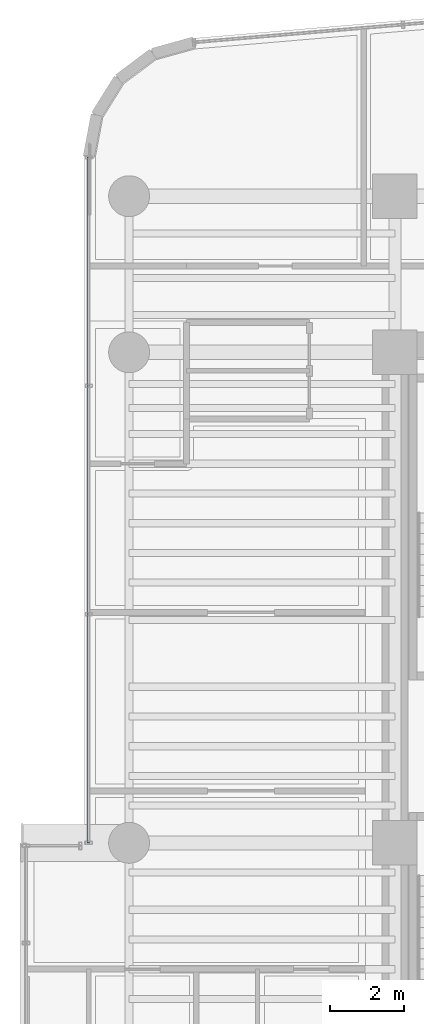
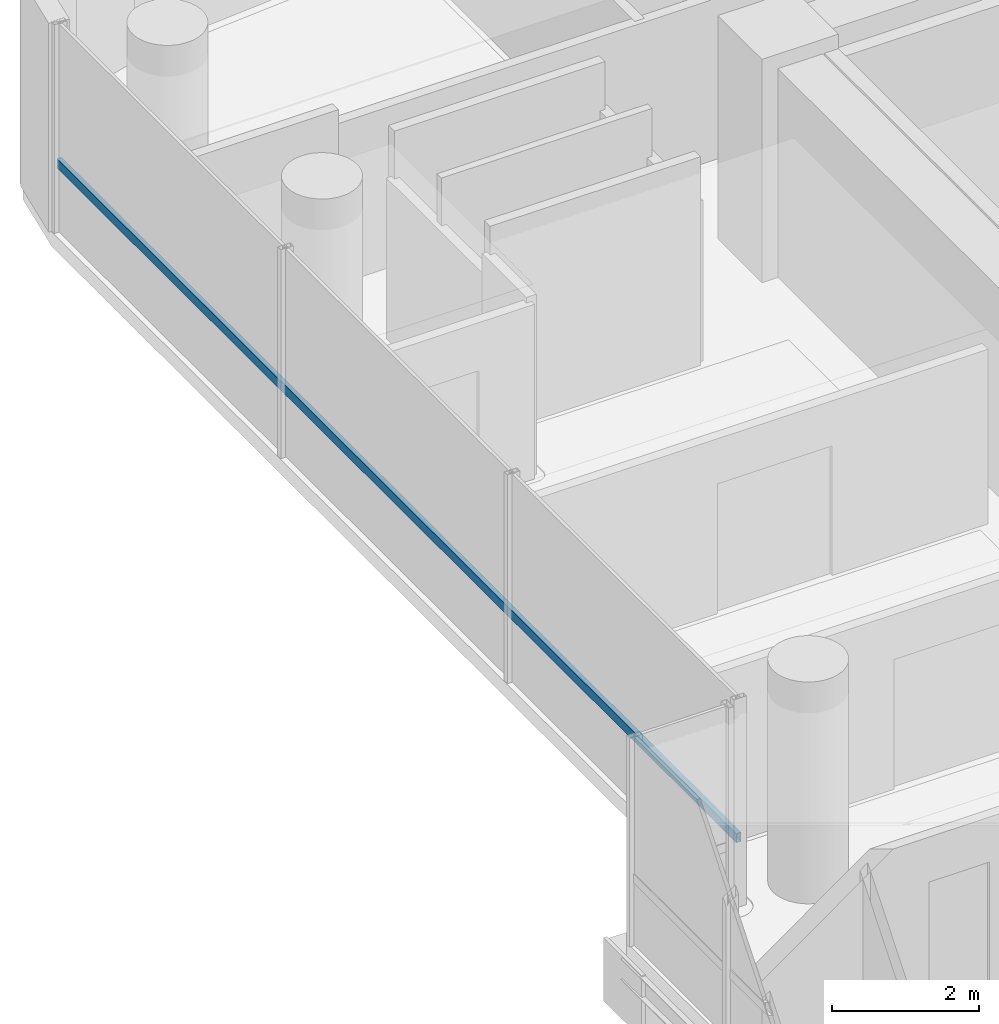
# One storey, part 8 of 37: 1 member, 1 element without a shape of its own.
"""IFC4 building model written with IfcOpenShell, lengths in metres."""

from ifc_helpers import new_model, si_unit, direction, frame, origin, origin_2d, place, context, subcontext, project, spatial, hollow_rectangle, extrude, source, transform, mapped, material, material_profile, profile_set, type_object, element, aggregate, save


model = new_model("IFC4")

# Units and contexts
model_context = context("Model", 3, precision=1e-05, world=origin(), true_north=direction((0.0, 1.0)))
body_context = subcontext(model_context, "Body", "Model", "MODEL_VIEW")
ifc_project = project(units=[si_unit("LENGTHUNIT", "METRE"), si_unit("AREAUNIT", "SQUARE_METRE"), si_unit("VOLUMEUNIT", "CUBIC_METRE"), si_unit("PLANEANGLEUNIT", "RADIAN"), si_unit("MASSUNIT", "GRAM", prefix="KILO")], contexts=[model_context])

# Site, building, storey
site_placement = place(None, origin())
site = spatial("IfcSite", under=ifc_project, at=site_placement, CompositionType="ELEMENT")
building_placement = place(site_placement, origin())
building = spatial("IfcBuilding", under=site, at=building_placement, Name="Valdorenza Pilgrim Sanctuary Tower", CompositionType="ELEMENT")
storey_placement = place(building_placement, frame((0.0, 0.0, 135.300048828125)))
storey = spatial("IfcBuildingStorey", under=building, at=storey_placement, Name="L34", CompositionType="ELEMENT", Elevation=135.300048828125)

# Curtain wall, member
ifc_material_1 = material(Name="Curtain-wall IGU glazing", Category="glass")
curtain_wall_type = type_object("IfcCurtainWallType", Name="CW-SYS-02", PredefinedType="NOTDEFINED", material=ifc_material_1)
curtain_wall_placement = place(storey_placement, origin())
curtain_wall = element("IfcCurtainWall", 1, at=curtain_wall_placement, inside=storey, type_object=curtain_wall_type, Name="L34 Curtain Wall CW-L34-1-1S2", PredefinedType="NOTDEFINED")
ifc_material_2 = material(Name="Anodised aluminium AW-6060", Category="aluminium")
ifc_material_profile = material_profile(ifc_material_2, hollow_rectangle(XDim=0.074951171875, YDim=0.14990234375, WallThickness=0.00390625, at=origin_2d()), Name="ALU-T 150x75x4")
ifc_profile_set = profile_set([ifc_material_profile], Name="Anodised aluminium AW-6060")
member_type = type_object("IfcMemberType", Name="CW-TRN-02", PredefinedType="USERDEFINED", material=ifc_profile_set)
shared_shape = source(origin(), body_context, "Body", "SweptSolid", [
    extrude(hollow_rectangle(XDim=0.074951171875, YDim=0.14990234375, WallThickness=0.00390625, at=origin_2d()), origin(), (0.0, 0.0, 1.0), 18.450439453125),
])
member_placement = place(storey_placement, frame((-30.889892578125, -2.60009765625, 1.119873046875), z_axis=(0.0, 1.0, 0.0), x_axis=(-1.0, 0.0, 0.0)))
member = element("IfcMember", 2, at=member_placement, type_object=member_type, Name="CW-L34-1-1S2 Transom 1", ObjectType="TRANSOM", PredefinedType="USERDEFINED", context=body_context, shape_type="MappedRepresentation", body=[
    mapped(shared_shape, transform((0.0, 0.0, 0.0), x_axis=(1.0, 0.0, 0.0), y_axis=(0.0, 1.0, 0.0), z_axis=(0.0, 0.0, 1.0), scale=1.0)),
])
aggregate(curtain_wall, [member])

save(model, "model.ifc")
